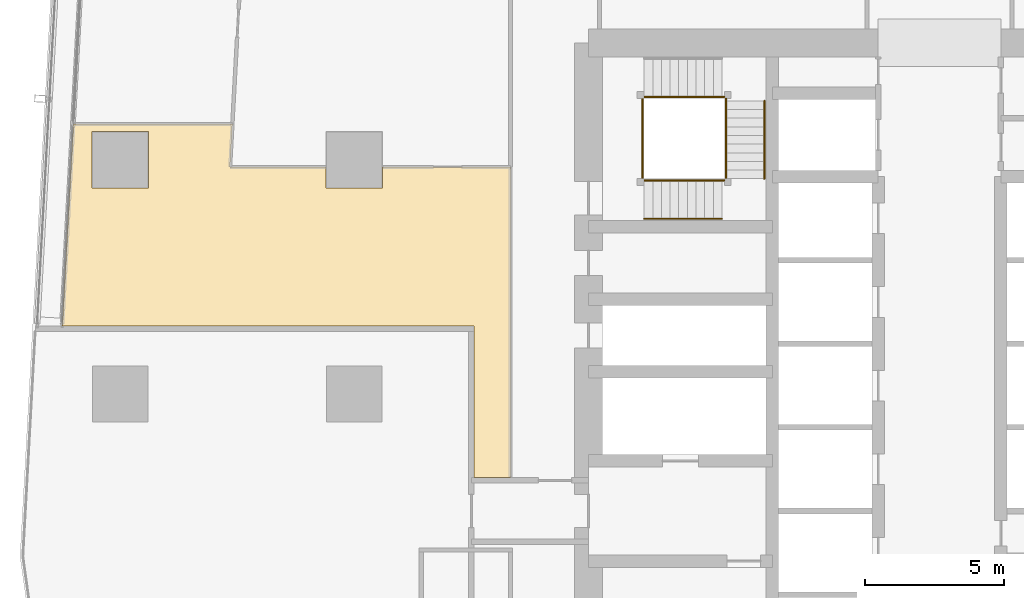
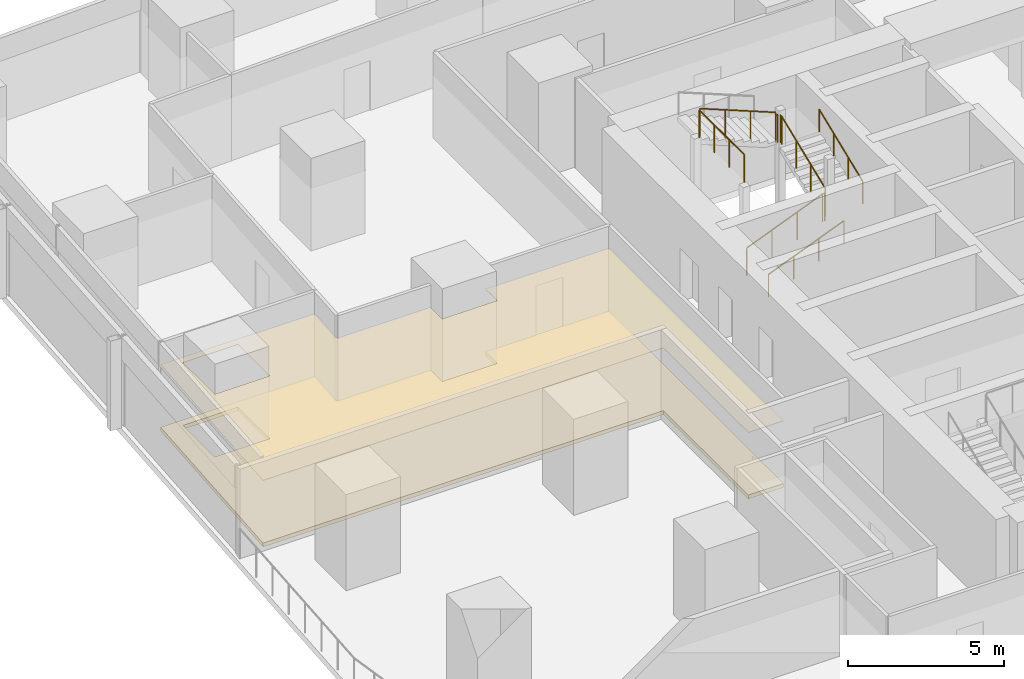
# One storey, part 32 of 36: 9 railings, 2 coverings.
"""IFC4 building model written with IfcOpenShell, lengths in metres."""

from ifc_helpers import new_model, si_unit, direction, frame, origin, origin_2d, place, context, subcontext, project, spatial, polyline, circle, outline, extrude, material, layer, layer_set, type_object, element, save


model = new_model("IFC4")

# Units and contexts
model_context = context("Model", 3, precision=1e-05, world=origin(), true_north=direction((0.0, 1.0)))
body_context = subcontext(model_context, "Body", "Model", "MODEL_VIEW")
ifc_project = project(units=[si_unit("LENGTHUNIT", "METRE"), si_unit("AREAUNIT", "SQUARE_METRE"), si_unit("VOLUMEUNIT", "CUBIC_METRE"), si_unit("PLANEANGLEUNIT", "RADIAN"), si_unit("MASSUNIT", "GRAM", prefix="KILO")], contexts=[model_context])

# Site, building, storey
site_placement = place(None, origin())
site = spatial("IfcSite", under=ifc_project, at=site_placement, CompositionType="ELEMENT")
building_placement = place(site_placement, origin())
building = spatial("IfcBuilding", under=site, at=building_placement, Name="Rekha Terrace Tower", CompositionType="ELEMENT")
storey_placement = place(building_placement, frame((0.0, 0.0, 144.050048828125)))
storey = spatial("IfcBuildingStorey", under=building, at=storey_placement, Name="L36", CompositionType="ELEMENT", Elevation=144.050048828125)

# Covering
ifc_material_1 = material(Name="Mineral fibre tile in exposed grid", Category="finish")
ifc_layer_1 = layer(ifc_material_1, 0.02001953125)
ifc_layer_set_1 = layer_set([ifc_layer_1], Name="Mineral fibre tile in exposed grid")
covering_type_1 = type_object("IfcCoveringType", Name="CL1 600x1200 office grid ceiling", PredefinedType="CEILING", material=ifc_layer_set_1)
covering_1_placement = place(storey_placement, frame((0.0, 0.0, 2.579833984375)))
element("IfcCovering", 1, at=covering_1_placement, inside=storey, type_object=covering_type_1, Name="Ceiling L36-15", PredefinedType="CEILING", context=body_context, shape_type="SweptSolid", body=[
    extrude(outline(polyline([(6.7119140625, 43.285888671875), (6.31494140625, 36.044921875), (12.616943359375, 36.044921875), (12.616943359375, 36.0439453125), (21.10107421875, 36.0439453125), (21.10107421875, 30.60107421875), (22.39990234375, 30.60107421875), (22.39990234375, 41.743896484375), (17.81494140625, 41.743896484375), (17.81494140625, 40.985107421875), (15.784912109375, 40.985107421875), (15.784912109375, 41.743896484375), (12.3359375, 41.743896484375), (12.4208984375, 43.285888671875), (6.7119140625, 43.285888671875)]), holes=[polyline([(9.4150390625, 40.985107421875), (7.385009765625, 40.985107421875), (7.385009765625, 43.014892578125), (9.4150390625, 43.014892578125), (9.4150390625, 40.985107421875)])]), origin(), (0.0, 0.0, 1.0), 0.02001953125),
])

# Railings
ifc_material_2 = material(Name="Stainless steel balustrade", Category="steel")
railing_type_1 = type_object("IfcRailingType", Name="GR1 1100 stair guard", PredefinedType="GUARDRAIL", material=ifc_material_2)
railing_1_placement = place(storey_placement, frame((27.199951171875, 41.264892578125, 0.125)))
element("IfcRailing", 2, at=railing_1_placement, inside=storey, type_object=railing_type_1, Name="Guard ST4 L36 flight 1", PredefinedType="GUARDRAIL", context=body_context, shape_type="SweptSolid", body=[
    extrude(circle(Radius=0.02392578125, at=origin_2d()), frame((0.0, 0.0, 1.076171875), z_axis=(0.927443287984, 0.0, 0.373963831907), x_axis=(0.0, 1.0, 0.0)), (0.0, 0.0, 1.0), 3.00830078125),
    extrude(circle(Radius=0.02099609375, at=origin_2d()), origin(), (0.0, 0.0, 1.0), 1.052001953125),
    extrude(circle(Radius=0.02099609375, at=origin_2d()), frame((0.929931640625, 0.0, 0.375)), (0.0, 0.0, 1.0), 1.052001953125),
    extrude(circle(Radius=0.02099609375, at=origin_2d()), frame((1.860107421875, 0.0, 0.75)), (0.0, 0.0, 1.0), 1.052001953125),
    extrude(circle(Radius=0.02099609375, at=origin_2d()), frame((2.7900390625, 0.0, 1.125)), (0.0, 0.0, 1.0), 1.052001953125),
])
railing_2_placement = place(storey_placement, frame((30.135009765625, 41.324951171875, 1.375)))
element("IfcRailing", 3, at=railing_2_placement, inside=storey, type_object=railing_type_1, Name="Guard ST4 L36 flight 2", PredefinedType="GUARDRAIL", context=body_context, shape_type="SweptSolid", body=[
    extrude(circle(Radius=0.02392578125, at=origin_2d()), frame((0.0, 0.0, 1.076171875), z_axis=(0.0, 0.927443287984, 0.373963831907), x_axis=(-1.0, 0.0, 0.0)), (0.0, 0.0, 1.0), 3.00830078125),
    extrude(circle(Radius=0.02099609375, at=origin_2d()), origin(), (0.0, 0.0, 1.0), 1.052001953125),
    extrude(circle(Radius=0.02099609375, at=origin_2d()), frame((0.0, 0.929931640625, 0.375)), (0.0, 0.0, 1.0), 1.052001953125),
    extrude(circle(Radius=0.02099609375, at=origin_2d()), frame((0.0, 1.860107421875, 0.75)), (0.0, 0.0, 1.0), 1.052001953125),
    extrude(circle(Radius=0.02099609375, at=origin_2d()), frame((0.0, 2.7900390625, 1.125)), (0.0, 0.0, 1.0), 1.052001953125),
])
railing_3_placement = place(storey_placement, frame((29.989990234375, 44.260009765625, 2.625)))
element("IfcRailing", 4, at=railing_3_placement, inside=storey, type_object=railing_type_1, Name="Guard ST4 L36 flight 3", PredefinedType="GUARDRAIL", context=body_context, shape_type="SweptSolid", body=[
    extrude(circle(Radius=0.02392578125, at=origin_2d()), frame((0.0, 0.0, 1.076171875), z_axis=(-0.927443287984, 0.0, 0.373963831907), x_axis=(0.0, -1.0, 0.0)), (0.0, 0.0, 1.0), 3.00830078125),
    extrude(circle(Radius=0.02099609375, at=origin_2d()), origin(), (0.0, 0.0, 1.0), 1.052001953125),
    extrude(circle(Radius=0.02099609375, at=origin_2d()), frame((-0.929931640625, 0.0, 0.375)), (0.0, 0.0, 1.0), 1.052001953125),
    extrude(circle(Radius=0.02099609375, at=origin_2d()), frame((-1.860107421875, 0.0, 0.75)), (0.0, 0.0, 1.0), 1.052001953125),
    extrude(circle(Radius=0.02099609375, at=origin_2d()), frame((-2.7900390625, 0.0, 1.125)), (0.0, 0.0, 1.0), 1.052001953125),
])
railing_4_placement = place(storey_placement, frame((29.989990234375, 41.264892578125, 1.25)))
element("IfcRailing", 5, at=railing_4_placement, inside=storey, type_object=railing_type_1, Name="Guard ST4 L36 landing 1", PredefinedType="GUARDRAIL", context=body_context, shape_type="SweptSolid", body=[
    extrude(circle(Radius=0.02392578125, at=origin_2d()), frame((0.0, 0.0, 1.076171875), z_axis=(1.0, 0.0, 0.0), x_axis=(0.0, 1.0, 0.0)), (0.0, 0.0, 1.0), 0.0849609375),
    extrude(circle(Radius=0.02099609375, at=origin_2d()), origin(), (0.0, 0.0, 1.0), 1.052001953125),
    extrude(circle(Radius=0.02099609375, at=origin_2d()), frame((0.0849609375, 0.0, 0.0)), (0.0, 0.0, 1.0), 1.052001953125),
])
railing_5_placement = place(storey_placement, frame((30.135009765625, 44.114990234375, 2.5)))
element("IfcRailing", 6, at=railing_5_placement, inside=storey, type_object=railing_type_1, Name="Guard ST4 L36 landing 2", PredefinedType="GUARDRAIL", context=body_context, shape_type="SweptSolid", body=[
    extrude(circle(Radius=0.02392578125, at=origin_2d()), frame((0.0, 0.0, 1.076171875), z_axis=(0.0, 1.0, 0.0), x_axis=(-1.0, 0.0, 0.0)), (0.0, 0.0, 1.0), 0.0849609375),
    extrude(circle(Radius=0.02099609375, at=origin_2d()), origin(), (0.0, 0.0, 1.0), 1.052001953125),
    extrude(circle(Radius=0.02099609375, at=origin_2d()), frame((0.0, 0.0849609375, 0.0)), (0.0, 0.0, 1.0), 1.052001953125),
])
railing_6_placement = place(storey_placement, frame((29.989990234375, 44.260009765625, 2.5)))
element("IfcRailing", 7, at=railing_6_placement, inside=storey, type_object=railing_type_1, Name="Guard ST4 L36 landing 3", PredefinedType="GUARDRAIL", context=body_context, shape_type="SweptSolid", body=[
    extrude(circle(Radius=0.02392578125, at=origin_2d()), frame((0.0, 0.0, 1.076171875), z_axis=(1.0, 0.0, 0.0), x_axis=(0.0, 1.0, 0.0)), (0.0, 0.0, 1.0), 0.0849609375),
    extrude(circle(Radius=0.02099609375, at=origin_2d()), origin(), (0.0, 0.0, 1.0), 1.052001953125),
    extrude(circle(Radius=0.02099609375, at=origin_2d()), frame((0.0849609375, 0.0, 0.0)), (0.0, 0.0, 1.0), 1.052001953125),
])
railing_7_placement = place(storey_placement, frame((27.139892578125, 41.324951171875, 3.75)))
element("IfcRailing", 8, at=railing_7_placement, inside=storey, type_object=railing_type_1, Name="Guard ST4 L36 landing 4", PredefinedType="GUARDRAIL", context=body_context, shape_type="SweptSolid", body=[
    extrude(circle(Radius=0.02392578125, at=origin_2d()), frame((0.0, 0.0, 1.076171875), z_axis=(0.0, 1.0, 0.0), x_axis=(-1.0, 0.0, 0.0)), (0.0, 0.0, 1.0), 2.875),
    extrude(circle(Radius=0.02099609375, at=origin_2d()), origin(), (0.0, 0.0, 1.0), 1.052001953125),
    extrude(circle(Radius=0.02099609375, at=origin_2d()), frame((0.0, 0.958251953125, 0.0)), (0.0, 0.0, 1.0), 1.052001953125),
    extrude(circle(Radius=0.02099609375, at=origin_2d()), frame((0.0, 1.916748046875, 0.0)), (0.0, 0.0, 1.0), 1.052001953125),
    extrude(circle(Radius=0.02099609375, at=origin_2d()), frame((0.0, 2.875, 0.0)), (0.0, 0.0, 1.0), 1.052001953125),
])
ifc_material_3 = material(Name="Stainless steel tube", Category="steel")
railing_type_2 = type_object("IfcRailingType", Name="HR1 900 stair handrail", PredefinedType="HANDRAIL", material=ifc_material_3)
railing_8_placement = place(storey_placement, frame((27.199951171875, 39.885009765625, 0.125)))
element("IfcRailing", 9, at=railing_8_placement, inside=storey, type_object=railing_type_2, Name="Handrail ST4 L36 flight 1", PredefinedType="HANDRAIL", context=body_context, shape_type="SweptSolid", body=[
    extrude(circle(Radius=0.02392578125, at=origin_2d()), frame((0.0, 0.0, 0.8759765625), z_axis=(0.927443287984, 0.0, 0.373963831907), x_axis=(0.0, 1.0, 0.0)), (0.0, 0.0, 1.0), 3.00830078125),
    extrude(circle(Radius=0.02099609375, at=origin_2d()), origin(), (0.0, 0.0, 1.0), 0.851806640625),
    extrude(circle(Radius=0.02099609375, at=origin_2d()), frame((0.929931640625, 0.0, 0.375)), (0.0, 0.0, 1.0), 0.851806640625),
    extrude(circle(Radius=0.02099609375, at=origin_2d()), frame((1.860107421875, 0.0, 0.75)), (0.0, 0.0, 1.0), 0.851806640625),
    extrude(circle(Radius=0.02099609375, at=origin_2d()), frame((2.7900390625, 0.0, 1.125)), (0.0, 0.0, 1.0), 0.851806640625),
])
railing_9_placement = place(storey_placement, frame((31.514892578125, 41.324951171875, 1.375)))
element("IfcRailing", 10, at=railing_9_placement, inside=storey, type_object=railing_type_2, Name="Handrail ST4 L36 flight 2", PredefinedType="HANDRAIL", context=body_context, shape_type="SweptSolid", body=[
    extrude(circle(Radius=0.02392578125, at=origin_2d()), frame((0.0, 0.0, 0.8759765625), z_axis=(0.0, 0.927443287984, 0.373963831907), x_axis=(-1.0, 0.0, 0.0)), (0.0, 0.0, 1.0), 3.00830078125),
    extrude(circle(Radius=0.02099609375, at=origin_2d()), origin(), (0.0, 0.0, 1.0), 0.851806640625),
    extrude(circle(Radius=0.02099609375, at=origin_2d()), frame((0.0, 0.929931640625, 0.375)), (0.0, 0.0, 1.0), 0.851806640625),
    extrude(circle(Radius=0.02099609375, at=origin_2d()), frame((0.0, 1.860107421875, 0.75)), (0.0, 0.0, 1.0), 0.851806640625),
    extrude(circle(Radius=0.02099609375, at=origin_2d()), frame((0.0, 2.7900390625, 1.125)), (0.0, 0.0, 1.0), 0.851806640625),
])

# Covering
ifc_material_4 = material(Name="Calcium sulphate panels on steel pedestals", Category="steel")
ifc_layer_2 = layer(ifc_material_4, 0.14990234375)
ifc_layer_set_2 = layer_set([ifc_layer_2], Name="Calcium sulphate panels on steel pedestals")
covering_type_2 = type_object("IfcCoveringType", Name="RF1 150 raised access floor", PredefinedType="FLOORING", material=ifc_layer_set_2)
covering_2_placement = place(storey_placement, origin())
element("IfcCovering", 11, at=covering_2_placement, inside=storey, type_object=covering_type_2, Name="Raised floor L36-15", PredefinedType="FLOORING", context=body_context, shape_type="SweptSolid", body=[
    extrude(outline(polyline([(6.7119140625, 43.285888671875), (6.31494140625, 36.044921875), (12.616943359375, 36.044921875), (12.616943359375, 36.0439453125), (21.10107421875, 36.0439453125), (21.10107421875, 30.60107421875), (22.39990234375, 30.60107421875), (22.39990234375, 41.743896484375), (17.81494140625, 41.743896484375), (17.81494140625, 40.985107421875), (15.784912109375, 40.985107421875), (15.784912109375, 41.743896484375), (12.3359375, 41.743896484375), (12.4208984375, 43.285888671875), (6.7119140625, 43.285888671875)]), holes=[polyline([(9.4150390625, 40.985107421875), (7.385009765625, 40.985107421875), (7.385009765625, 43.014892578125), (9.4150390625, 43.014892578125), (9.4150390625, 40.985107421875)])]), origin(), (0.0, 0.0, 1.0), 0.14990234375),
])

save(model, "model.ifc")
